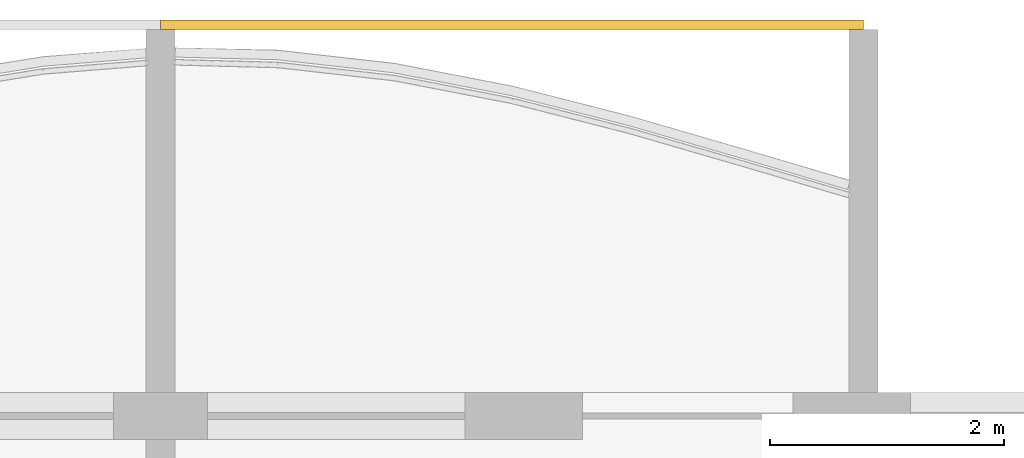
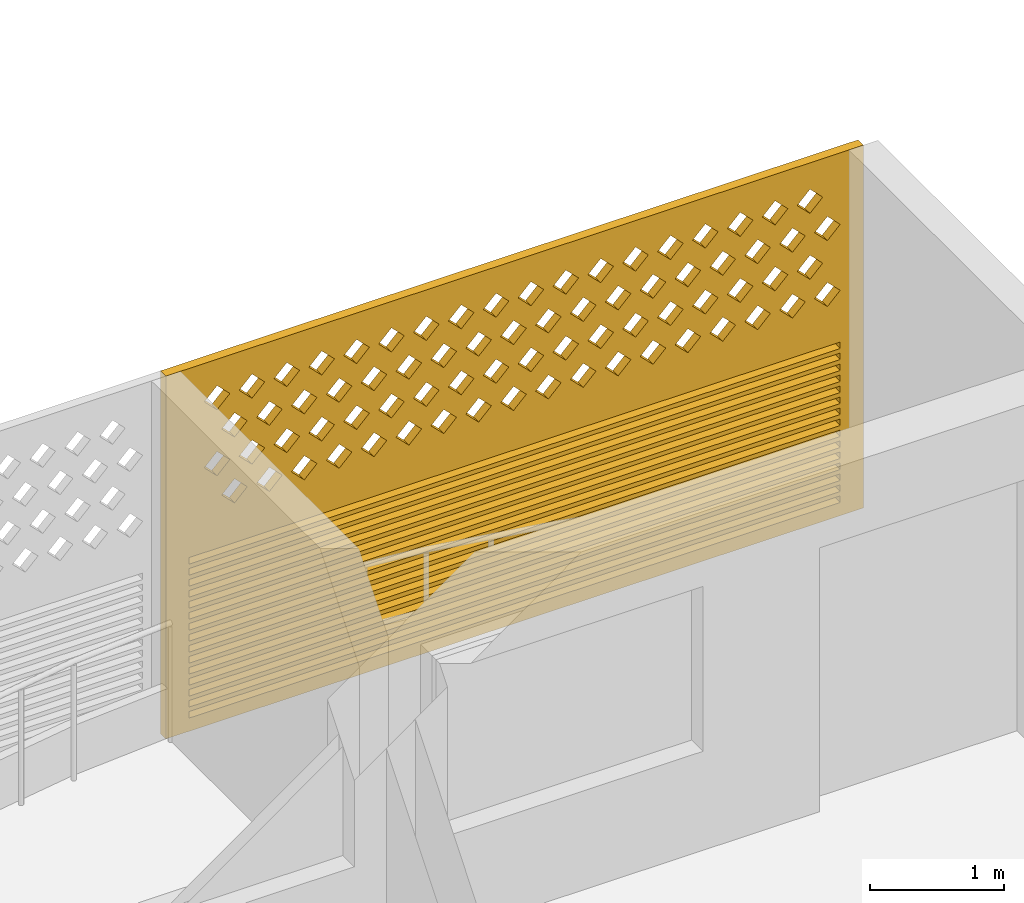
# One storey, part 18 of 26: 1 covering.
"""IFC4 building model written with IfcOpenShell, lengths in metres."""

from ifc_helpers import new_model, si_unit, direction, frame, origin, place, context, subcontext, project, spatial, polyline, outline, extrude, source, transform, mapped, material, material_profile, profile_set, type_object, element, save


model = new_model("IFC4")

# Units and contexts
model_context = context("Model", 3, precision=1e-05, world=origin(), true_north=direction((0.0, 1.0)))
body_context = subcontext(model_context, "Body", "Model", "MODEL_VIEW")
ifc_project = project(units=[si_unit("LENGTHUNIT", "METRE"), si_unit("AREAUNIT", "SQUARE_METRE"), si_unit("VOLUMEUNIT", "CUBIC_METRE"), si_unit("PLANEANGLEUNIT", "RADIAN"), si_unit("MASSUNIT", "GRAM", prefix="KILO")], contexts=[model_context])

# Site, building, storey
site_placement = place(None, origin())
site = spatial("IfcSite", under=ifc_project, at=site_placement, CompositionType="ELEMENT")
building_placement = place(site_placement, origin())
building = spatial("IfcBuilding", under=site, at=building_placement, Name="Poui Terraces", CompositionType="ELEMENT")
storey_placement = place(building_placement, frame((0.0, 0.0, 228.0)))
storey = spatial("IfcBuildingStorey", under=building, at=storey_placement, Name="L63", CompositionType="ELEMENT", Elevation=228.0)

# Covering
ifc_material = material(Name="Terracotta screen", Category="masonry")
ifc_material_profile = material_profile(ifc_material, outline(polyline([(-3.0, -1.64990234375), (3.0, -1.64990234375), (3.0, 1.64990234375), (-3.0, 1.64990234375), (-3.0, -1.64990234375)]), holes=[polyline([(-2.800048828125, 0.39990234375), (-2.68994140625, 0.2900390625), (-2.580078125, 0.39990234375), (-2.68994140625, 0.510009765625), (-2.800048828125, 0.39990234375)]), polyline([(-2.5, 0.39990234375), (-2.389892578125, 0.2900390625), (-2.280029296875, 0.39990234375), (-2.389892578125, 0.510009765625), (-2.5, 0.39990234375)]), polyline([(-2.199951171875, 0.39990234375), (-2.090087890625, 0.2900390625), (-1.97998046875, 0.39990234375), (-2.090087890625, 0.510009765625), (-2.199951171875, 0.39990234375)]), polyline([(-1.89990234375, 0.39990234375), (-1.7900390625, 0.2900390625), (-1.679931640625, 0.39990234375), (-1.7900390625, 0.510009765625), (-1.89990234375, 0.39990234375)]), polyline([(-1.60009765625, 0.39990234375), (-1.489990234375, 0.2900390625), (-1.3798828125, 0.39990234375), (-1.489990234375, 0.510009765625), (-1.60009765625, 0.39990234375)]), polyline([(-1.300048828125, 0.39990234375), (-1.18994140625, 0.2900390625), (-1.080078125, 0.39990234375), (-1.18994140625, 0.510009765625), (-1.300048828125, 0.39990234375)]), polyline([(-1.0, 0.39990234375), (-0.889892578125, 0.2900390625), (-0.780029296875, 0.39990234375), (-0.889892578125, 0.510009765625), (-1.0, 0.39990234375)]), polyline([(-0.699951171875, 0.39990234375), (-0.590087890625, 0.2900390625), (-0.47998046875, 0.39990234375), (-0.590087890625, 0.510009765625), (-0.699951171875, 0.39990234375)]), polyline([(-0.39990234375, 0.39990234375), (-0.2900390625, 0.2900390625), (-0.179931640625, 0.39990234375), (-0.2900390625, 0.510009765625), (-0.39990234375, 0.39990234375)]), polyline([(-0.10009765625, 0.39990234375), (0.010009765625, 0.2900390625), (0.1201171875, 0.39990234375), (0.010009765625, 0.510009765625), (-0.10009765625, 0.39990234375)]), polyline([(0.199951171875, 0.39990234375), (0.31005859375, 0.2900390625), (0.419921875, 0.39990234375), (0.31005859375, 0.510009765625), (0.199951171875, 0.39990234375)]), polyline([(0.5, 0.39990234375), (0.610107421875, 0.2900390625), (0.719970703125, 0.39990234375), (0.610107421875, 0.510009765625), (0.5, 0.39990234375)]), polyline([(0.800048828125, 0.39990234375), (0.909912109375, 0.2900390625), (1.02001953125, 0.39990234375), (0.909912109375, 0.510009765625), (0.800048828125, 0.39990234375)]), polyline([(1.10009765625, 0.39990234375), (1.2099609375, 0.2900390625), (1.320068359375, 0.39990234375), (1.2099609375, 0.510009765625), (1.10009765625, 0.39990234375)]), polyline([(1.39990234375, 0.39990234375), (1.510009765625, 0.2900390625), (1.6201171875, 0.39990234375), (1.510009765625, 0.510009765625), (1.39990234375, 0.39990234375)]), polyline([(1.699951171875, 0.39990234375), (1.81005859375, 0.2900390625), (1.919921875, 0.39990234375), (1.81005859375, 0.510009765625), (1.699951171875, 0.39990234375)]), polyline([(2.0, 0.39990234375), (2.110107421875, 0.2900390625), (2.219970703125, 0.39990234375), (2.110107421875, 0.510009765625), (2.0, 0.39990234375)]), polyline([(2.300048828125, 0.39990234375), (2.409912109375, 0.2900390625), (2.52001953125, 0.39990234375), (2.409912109375, 0.510009765625), (2.300048828125, 0.39990234375)]), polyline([(-2.64990234375, 0.699951171875), (-2.5400390625, 0.590087890625), (-2.429931640625, 0.699951171875), (-2.5400390625, 0.81005859375), (-2.64990234375, 0.699951171875)]), polyline([(-2.35009765625, 0.699951171875), (-2.239990234375, 0.590087890625), (-2.1298828125, 0.699951171875), (-2.239990234375, 0.81005859375), (-2.35009765625, 0.699951171875)]), polyline([(-2.050048828125, 0.699951171875), (-1.93994140625, 0.590087890625), (-1.830078125, 0.699951171875), (-1.93994140625, 0.81005859375), (-2.050048828125, 0.699951171875)]), polyline([(-1.75, 0.699951171875), (-1.639892578125, 0.590087890625), (-1.530029296875, 0.699951171875), (-1.639892578125, 0.81005859375), (-1.75, 0.699951171875)]), polyline([(-1.449951171875, 0.699951171875), (-1.340087890625, 0.590087890625), (-1.22998046875, 0.699951171875), (-1.340087890625, 0.81005859375), (-1.449951171875, 0.699951171875)]), polyline([(-1.14990234375, 0.699951171875), (-1.0400390625, 0.590087890625), (-0.929931640625, 0.699951171875), (-1.0400390625, 0.81005859375), (-1.14990234375, 0.699951171875)]), polyline([(-0.85009765625, 0.699951171875), (-0.739990234375, 0.590087890625), (-0.6298828125, 0.699951171875), (-0.739990234375, 0.81005859375), (-0.85009765625, 0.699951171875)]), polyline([(-0.550048828125, 0.699951171875), (-0.43994140625, 0.590087890625), (-0.330078125, 0.699951171875), (-0.43994140625, 0.81005859375), (-0.550048828125, 0.699951171875)]), polyline([(-0.25, 0.699951171875), (-0.139892578125, 0.590087890625), (-0.030029296875, 0.699951171875), (-0.139892578125, 0.81005859375), (-0.25, 0.699951171875)]), polyline([(0.050048828125, 0.699951171875), (0.159912109375, 0.590087890625), (0.27001953125, 0.699951171875), (0.159912109375, 0.81005859375), (0.050048828125, 0.699951171875)]), polyline([(0.35009765625, 0.699951171875), (0.4599609375, 0.590087890625), (0.570068359375, 0.699951171875), (0.4599609375, 0.81005859375), (0.35009765625, 0.699951171875)]), polyline([(0.64990234375, 0.699951171875), (0.760009765625, 0.590087890625), (0.8701171875, 0.699951171875), (0.760009765625, 0.81005859375), (0.64990234375, 0.699951171875)]), polyline([(0.949951171875, 0.699951171875), (1.06005859375, 0.590087890625), (1.169921875, 0.699951171875), (1.06005859375, 0.81005859375), (0.949951171875, 0.699951171875)]), polyline([(1.25, 0.699951171875), (1.360107421875, 0.590087890625), (1.469970703125, 0.699951171875), (1.360107421875, 0.81005859375), (1.25, 0.699951171875)]), polyline([(1.550048828125, 0.699951171875), (1.659912109375, 0.590087890625), (1.77001953125, 0.699951171875), (1.659912109375, 0.81005859375), (1.550048828125, 0.699951171875)]), polyline([(1.85009765625, 0.699951171875), (1.9599609375, 0.590087890625), (2.070068359375, 0.699951171875), (1.9599609375, 0.81005859375), (1.85009765625, 0.699951171875)]), polyline([(2.14990234375, 0.699951171875), (2.260009765625, 0.590087890625), (2.3701171875, 0.699951171875), (2.260009765625, 0.81005859375), (2.14990234375, 0.699951171875)]), polyline([(2.449951171875, 0.699951171875), (2.56005859375, 0.590087890625), (2.669921875, 0.699951171875), (2.56005859375, 0.81005859375), (2.449951171875, 0.699951171875)]), polyline([(-2.800048828125, 1.0), (-2.68994140625, 0.889892578125), (-2.580078125, 1.0), (-2.68994140625, 1.110107421875), (-2.800048828125, 1.0)]), polyline([(-2.5, 1.0), (-2.389892578125, 0.889892578125), (-2.280029296875, 1.0), (-2.389892578125, 1.110107421875), (-2.5, 1.0)]), polyline([(-2.199951171875, 1.0), (-2.090087890625, 0.889892578125), (-1.97998046875, 1.0), (-2.090087890625, 1.110107421875), (-2.199951171875, 1.0)]), polyline([(-1.89990234375, 1.0), (-1.7900390625, 0.889892578125), (-1.679931640625, 1.0), (-1.7900390625, 1.110107421875), (-1.89990234375, 1.0)]), polyline([(-1.60009765625, 1.0), (-1.489990234375, 0.889892578125), (-1.3798828125, 1.0), (-1.489990234375, 1.110107421875), (-1.60009765625, 1.0)]), polyline([(-1.300048828125, 1.0), (-1.18994140625, 0.889892578125), (-1.080078125, 1.0), (-1.18994140625, 1.110107421875), (-1.300048828125, 1.0)]), polyline([(-1.0, 1.0), (-0.889892578125, 0.889892578125), (-0.780029296875, 1.0), (-0.889892578125, 1.110107421875), (-1.0, 1.0)]), polyline([(-0.699951171875, 1.0), (-0.590087890625, 0.889892578125), (-0.47998046875, 1.0), (-0.590087890625, 1.110107421875), (-0.699951171875, 1.0)]), polyline([(-0.39990234375, 1.0), (-0.2900390625, 0.889892578125), (-0.179931640625, 1.0), (-0.2900390625, 1.110107421875), (-0.39990234375, 1.0)]), polyline([(-0.10009765625, 1.0), (0.010009765625, 0.889892578125), (0.1201171875, 1.0), (0.010009765625, 1.110107421875), (-0.10009765625, 1.0)]), polyline([(0.199951171875, 1.0), (0.31005859375, 0.889892578125), (0.419921875, 1.0), (0.31005859375, 1.110107421875), (0.199951171875, 1.0)]), polyline([(0.5, 1.0), (0.610107421875, 0.889892578125), (0.719970703125, 1.0), (0.610107421875, 1.110107421875), (0.5, 1.0)]), polyline([(0.800048828125, 1.0), (0.909912109375, 0.889892578125), (1.02001953125, 1.0), (0.909912109375, 1.110107421875), (0.800048828125, 1.0)]), polyline([(1.10009765625, 1.0), (1.2099609375, 0.889892578125), (1.320068359375, 1.0), (1.2099609375, 1.110107421875), (1.10009765625, 1.0)]), polyline([(1.39990234375, 1.0), (1.510009765625, 0.889892578125), (1.6201171875, 1.0), (1.510009765625, 1.110107421875), (1.39990234375, 1.0)]), polyline([(1.699951171875, 1.0), (1.81005859375, 0.889892578125), (1.919921875, 1.0), (1.81005859375, 1.110107421875), (1.699951171875, 1.0)]), polyline([(2.0, 1.0), (2.110107421875, 0.889892578125), (2.219970703125, 1.0), (2.110107421875, 1.110107421875), (2.0, 1.0)]), polyline([(2.300048828125, 1.0), (2.409912109375, 0.889892578125), (2.52001953125, 1.0), (2.409912109375, 1.110107421875), (2.300048828125, 1.0)]), polyline([(-2.64990234375, 1.300048828125), (-2.5400390625, 1.18994140625), (-2.429931640625, 1.300048828125), (-2.5400390625, 1.409912109375), (-2.64990234375, 1.300048828125)]), polyline([(-2.35009765625, 1.300048828125), (-2.239990234375, 1.18994140625), (-2.1298828125, 1.300048828125), (-2.239990234375, 1.409912109375), (-2.35009765625, 1.300048828125)]), polyline([(-2.050048828125, 1.300048828125), (-1.93994140625, 1.18994140625), (-1.830078125, 1.300048828125), (-1.93994140625, 1.409912109375), (-2.050048828125, 1.300048828125)]), polyline([(-1.75, 1.300048828125), (-1.639892578125, 1.18994140625), (-1.530029296875, 1.300048828125), (-1.639892578125, 1.409912109375), (-1.75, 1.300048828125)]), polyline([(-1.449951171875, 1.300048828125), (-1.340087890625, 1.18994140625), (-1.22998046875, 1.300048828125), (-1.340087890625, 1.409912109375), (-1.449951171875, 1.300048828125)]), polyline([(-1.14990234375, 1.300048828125), (-1.0400390625, 1.18994140625), (-0.929931640625, 1.300048828125), (-1.0400390625, 1.409912109375), (-1.14990234375, 1.300048828125)]), polyline([(-0.85009765625, 1.300048828125), (-0.739990234375, 1.18994140625), (-0.6298828125, 1.300048828125), (-0.739990234375, 1.409912109375), (-0.85009765625, 1.300048828125)]), polyline([(-0.550048828125, 1.300048828125), (-0.43994140625, 1.18994140625), (-0.330078125, 1.300048828125), (-0.43994140625, 1.409912109375), (-0.550048828125, 1.300048828125)]), polyline([(-0.25, 1.300048828125), (-0.139892578125, 1.18994140625), (-0.030029296875, 1.300048828125), (-0.139892578125, 1.409912109375), (-0.25, 1.300048828125)]), polyline([(0.050048828125, 1.300048828125), (0.159912109375, 1.18994140625), (0.27001953125, 1.300048828125), (0.159912109375, 1.409912109375), (0.050048828125, 1.300048828125)]), polyline([(0.35009765625, 1.300048828125), (0.4599609375, 1.18994140625), (0.570068359375, 1.300048828125), (0.4599609375, 1.409912109375), (0.35009765625, 1.300048828125)]), polyline([(0.64990234375, 1.300048828125), (0.760009765625, 1.18994140625), (0.8701171875, 1.300048828125), (0.760009765625, 1.409912109375), (0.64990234375, 1.300048828125)]), polyline([(0.949951171875, 1.300048828125), (1.06005859375, 1.18994140625), (1.169921875, 1.300048828125), (1.06005859375, 1.409912109375), (0.949951171875, 1.300048828125)]), polyline([(1.25, 1.300048828125), (1.360107421875, 1.18994140625), (1.469970703125, 1.300048828125), (1.360107421875, 1.409912109375), (1.25, 1.300048828125)]), polyline([(1.550048828125, 1.300048828125), (1.659912109375, 1.18994140625), (1.77001953125, 1.300048828125), (1.659912109375, 1.409912109375), (1.550048828125, 1.300048828125)]), polyline([(1.85009765625, 1.300048828125), (1.9599609375, 1.18994140625), (2.070068359375, 1.300048828125), (1.9599609375, 1.409912109375), (1.85009765625, 1.300048828125)]), polyline([(2.14990234375, 1.300048828125), (2.260009765625, 1.18994140625), (2.3701171875, 1.300048828125), (2.260009765625, 1.409912109375), (2.14990234375, 1.300048828125)]), polyline([(2.449951171875, 1.300048828125), (2.56005859375, 1.18994140625), (2.669921875, 1.300048828125), (2.56005859375, 1.409912109375), (2.449951171875, 1.300048828125)]), polyline([(-2.800048828125, -1.530029296875), (2.800048828125, -1.530029296875), (2.800048828125, -1.469970703125), (-2.800048828125, -1.469970703125), (-2.800048828125, -1.530029296875)]), polyline([(-2.800048828125, -1.429931640625), (2.800048828125, -1.429931640625), (2.800048828125, -1.3701171875), (-2.800048828125, -1.3701171875), (-2.800048828125, -1.429931640625)]), polyline([(-2.800048828125, -1.330078125), (2.800048828125, -1.330078125), (2.800048828125, -1.27001953125), (-2.800048828125, -1.27001953125), (-2.800048828125, -1.330078125)]), polyline([(-2.800048828125, -1.22998046875), (2.800048828125, -1.22998046875), (2.800048828125, -1.169921875), (-2.800048828125, -1.169921875), (-2.800048828125, -1.22998046875)]), polyline([(-2.800048828125, -1.1298828125), (2.800048828125, -1.1298828125), (2.800048828125, -1.070068359375), (-2.800048828125, -1.070068359375), (-2.800048828125, -1.1298828125)]), polyline([(-2.800048828125, -1.030029296875), (2.800048828125, -1.030029296875), (2.800048828125, -0.969970703125), (-2.800048828125, -0.969970703125), (-2.800048828125, -1.030029296875)]), polyline([(-2.800048828125, -0.929931640625), (2.800048828125, -0.929931640625), (2.800048828125, -0.8701171875), (-2.800048828125, -0.8701171875), (-2.800048828125, -0.929931640625)]), polyline([(-2.800048828125, -0.830078125), (2.800048828125, -0.830078125), (2.800048828125, -0.77001953125), (-2.800048828125, -0.77001953125), (-2.800048828125, -0.830078125)]), polyline([(-2.800048828125, -0.72998046875), (2.800048828125, -0.72998046875), (2.800048828125, -0.669921875), (-2.800048828125, -0.669921875), (-2.800048828125, -0.72998046875)]), polyline([(-2.800048828125, -0.6298828125), (2.800048828125, -0.6298828125), (2.800048828125, -0.570068359375), (-2.800048828125, -0.570068359375), (-2.800048828125, -0.6298828125)]), polyline([(-2.800048828125, -0.530029296875), (2.800048828125, -0.530029296875), (2.800048828125, -0.469970703125), (-2.800048828125, -0.469970703125), (-2.800048828125, -0.530029296875)]), polyline([(-2.800048828125, -0.429931640625), (2.800048828125, -0.429931640625), (2.800048828125, -0.3701171875), (-2.800048828125, -0.3701171875), (-2.800048828125, -0.429931640625)]), polyline([(-2.800048828125, -0.330078125), (2.800048828125, -0.330078125), (2.800048828125, -0.27001953125), (-2.800048828125, -0.27001953125), (-2.800048828125, -0.330078125)]), polyline([(-2.800048828125, -0.22998046875), (2.800048828125, -0.22998046875), (2.800048828125, -0.169921875), (-2.800048828125, -0.169921875), (-2.800048828125, -0.22998046875)]), polyline([(-2.800048828125, -0.1298828125), (2.800048828125, -0.1298828125), (2.800048828125, -0.070068359375), (-2.800048828125, -0.070068359375), (-2.800048828125, -0.1298828125)])]), Name="TERRACOTTA SCREEN AND JALOUSIE LOUVRE 6000X3300")
ifc_profile_set = profile_set([ifc_material_profile], Name="Terracotta screen")
covering_type = type_object("IfcCoveringType", Name="TERRACOTTA SCREEN AND JALOUSIE LOUVRE 6000X3300", PredefinedType="CLADDING", material=ifc_profile_set)
shared_shape = source(origin(), body_context, "Body", "SweptSolid", [
    extrude(outline(polyline([(-3.0, -1.64990234375), (3.0, -1.64990234375), (3.0, 1.64990234375), (-3.0, 1.64990234375), (-3.0, -1.64990234375)]), holes=[polyline([(-2.800048828125, 0.39990234375), (-2.68994140625, 0.2900390625), (-2.580078125, 0.39990234375), (-2.68994140625, 0.510009765625), (-2.800048828125, 0.39990234375)]), polyline([(-2.5, 0.39990234375), (-2.389892578125, 0.2900390625), (-2.280029296875, 0.39990234375), (-2.389892578125, 0.510009765625), (-2.5, 0.39990234375)]), polyline([(-2.199951171875, 0.39990234375), (-2.090087890625, 0.2900390625), (-1.97998046875, 0.39990234375), (-2.090087890625, 0.510009765625), (-2.199951171875, 0.39990234375)]), polyline([(-1.89990234375, 0.39990234375), (-1.7900390625, 0.2900390625), (-1.679931640625, 0.39990234375), (-1.7900390625, 0.510009765625), (-1.89990234375, 0.39990234375)]), polyline([(-1.60009765625, 0.39990234375), (-1.489990234375, 0.2900390625), (-1.3798828125, 0.39990234375), (-1.489990234375, 0.510009765625), (-1.60009765625, 0.39990234375)]), polyline([(-1.300048828125, 0.39990234375), (-1.18994140625, 0.2900390625), (-1.080078125, 0.39990234375), (-1.18994140625, 0.510009765625), (-1.300048828125, 0.39990234375)]), polyline([(-1.0, 0.39990234375), (-0.889892578125, 0.2900390625), (-0.780029296875, 0.39990234375), (-0.889892578125, 0.510009765625), (-1.0, 0.39990234375)]), polyline([(-0.699951171875, 0.39990234375), (-0.590087890625, 0.2900390625), (-0.47998046875, 0.39990234375), (-0.590087890625, 0.510009765625), (-0.699951171875, 0.39990234375)]), polyline([(-0.39990234375, 0.39990234375), (-0.2900390625, 0.2900390625), (-0.179931640625, 0.39990234375), (-0.2900390625, 0.510009765625), (-0.39990234375, 0.39990234375)]), polyline([(-0.10009765625, 0.39990234375), (0.010009765625, 0.2900390625), (0.1201171875, 0.39990234375), (0.010009765625, 0.510009765625), (-0.10009765625, 0.39990234375)]), polyline([(0.199951171875, 0.39990234375), (0.31005859375, 0.2900390625), (0.419921875, 0.39990234375), (0.31005859375, 0.510009765625), (0.199951171875, 0.39990234375)]), polyline([(0.5, 0.39990234375), (0.610107421875, 0.2900390625), (0.719970703125, 0.39990234375), (0.610107421875, 0.510009765625), (0.5, 0.39990234375)]), polyline([(0.800048828125, 0.39990234375), (0.909912109375, 0.2900390625), (1.02001953125, 0.39990234375), (0.909912109375, 0.510009765625), (0.800048828125, 0.39990234375)]), polyline([(1.10009765625, 0.39990234375), (1.2099609375, 0.2900390625), (1.320068359375, 0.39990234375), (1.2099609375, 0.510009765625), (1.10009765625, 0.39990234375)]), polyline([(1.39990234375, 0.39990234375), (1.510009765625, 0.2900390625), (1.6201171875, 0.39990234375), (1.510009765625, 0.510009765625), (1.39990234375, 0.39990234375)]), polyline([(1.699951171875, 0.39990234375), (1.81005859375, 0.2900390625), (1.919921875, 0.39990234375), (1.81005859375, 0.510009765625), (1.699951171875, 0.39990234375)]), polyline([(2.0, 0.39990234375), (2.110107421875, 0.2900390625), (2.219970703125, 0.39990234375), (2.110107421875, 0.510009765625), (2.0, 0.39990234375)]), polyline([(2.300048828125, 0.39990234375), (2.409912109375, 0.2900390625), (2.52001953125, 0.39990234375), (2.409912109375, 0.510009765625), (2.300048828125, 0.39990234375)]), polyline([(-2.64990234375, 0.699951171875), (-2.5400390625, 0.590087890625), (-2.429931640625, 0.699951171875), (-2.5400390625, 0.81005859375), (-2.64990234375, 0.699951171875)]), polyline([(-2.35009765625, 0.699951171875), (-2.239990234375, 0.590087890625), (-2.1298828125, 0.699951171875), (-2.239990234375, 0.81005859375), (-2.35009765625, 0.699951171875)]), polyline([(-2.050048828125, 0.699951171875), (-1.93994140625, 0.590087890625), (-1.830078125, 0.699951171875), (-1.93994140625, 0.81005859375), (-2.050048828125, 0.699951171875)]), polyline([(-1.75, 0.699951171875), (-1.639892578125, 0.590087890625), (-1.530029296875, 0.699951171875), (-1.639892578125, 0.81005859375), (-1.75, 0.699951171875)]), polyline([(-1.449951171875, 0.699951171875), (-1.340087890625, 0.590087890625), (-1.22998046875, 0.699951171875), (-1.340087890625, 0.81005859375), (-1.449951171875, 0.699951171875)]), polyline([(-1.14990234375, 0.699951171875), (-1.0400390625, 0.590087890625), (-0.929931640625, 0.699951171875), (-1.0400390625, 0.81005859375), (-1.14990234375, 0.699951171875)]), polyline([(-0.85009765625, 0.699951171875), (-0.739990234375, 0.590087890625), (-0.6298828125, 0.699951171875), (-0.739990234375, 0.81005859375), (-0.85009765625, 0.699951171875)]), polyline([(-0.550048828125, 0.699951171875), (-0.43994140625, 0.590087890625), (-0.330078125, 0.699951171875), (-0.43994140625, 0.81005859375), (-0.550048828125, 0.699951171875)]), polyline([(-0.25, 0.699951171875), (-0.139892578125, 0.590087890625), (-0.030029296875, 0.699951171875), (-0.139892578125, 0.81005859375), (-0.25, 0.699951171875)]), polyline([(0.050048828125, 0.699951171875), (0.159912109375, 0.590087890625), (0.27001953125, 0.699951171875), (0.159912109375, 0.81005859375), (0.050048828125, 0.699951171875)]), polyline([(0.35009765625, 0.699951171875), (0.4599609375, 0.590087890625), (0.570068359375, 0.699951171875), (0.4599609375, 0.81005859375), (0.35009765625, 0.699951171875)]), polyline([(0.64990234375, 0.699951171875), (0.760009765625, 0.590087890625), (0.8701171875, 0.699951171875), (0.760009765625, 0.81005859375), (0.64990234375, 0.699951171875)]), polyline([(0.949951171875, 0.699951171875), (1.06005859375, 0.590087890625), (1.169921875, 0.699951171875), (1.06005859375, 0.81005859375), (0.949951171875, 0.699951171875)]), polyline([(1.25, 0.699951171875), (1.360107421875, 0.590087890625), (1.469970703125, 0.699951171875), (1.360107421875, 0.81005859375), (1.25, 0.699951171875)]), polyline([(1.550048828125, 0.699951171875), (1.659912109375, 0.590087890625), (1.77001953125, 0.699951171875), (1.659912109375, 0.81005859375), (1.550048828125, 0.699951171875)]), polyline([(1.85009765625, 0.699951171875), (1.9599609375, 0.590087890625), (2.070068359375, 0.699951171875), (1.9599609375, 0.81005859375), (1.85009765625, 0.699951171875)]), polyline([(2.14990234375, 0.699951171875), (2.260009765625, 0.590087890625), (2.3701171875, 0.699951171875), (2.260009765625, 0.81005859375), (2.14990234375, 0.699951171875)]), polyline([(2.449951171875, 0.699951171875), (2.56005859375, 0.590087890625), (2.669921875, 0.699951171875), (2.56005859375, 0.81005859375), (2.449951171875, 0.699951171875)]), polyline([(-2.800048828125, 1.0), (-2.68994140625, 0.889892578125), (-2.580078125, 1.0), (-2.68994140625, 1.110107421875), (-2.800048828125, 1.0)]), polyline([(-2.5, 1.0), (-2.389892578125, 0.889892578125), (-2.280029296875, 1.0), (-2.389892578125, 1.110107421875), (-2.5, 1.0)]), polyline([(-2.199951171875, 1.0), (-2.090087890625, 0.889892578125), (-1.97998046875, 1.0), (-2.090087890625, 1.110107421875), (-2.199951171875, 1.0)]), polyline([(-1.89990234375, 1.0), (-1.7900390625, 0.889892578125), (-1.679931640625, 1.0), (-1.7900390625, 1.110107421875), (-1.89990234375, 1.0)]), polyline([(-1.60009765625, 1.0), (-1.489990234375, 0.889892578125), (-1.3798828125, 1.0), (-1.489990234375, 1.110107421875), (-1.60009765625, 1.0)]), polyline([(-1.300048828125, 1.0), (-1.18994140625, 0.889892578125), (-1.080078125, 1.0), (-1.18994140625, 1.110107421875), (-1.300048828125, 1.0)]), polyline([(-1.0, 1.0), (-0.889892578125, 0.889892578125), (-0.780029296875, 1.0), (-0.889892578125, 1.110107421875), (-1.0, 1.0)]), polyline([(-0.699951171875, 1.0), (-0.590087890625, 0.889892578125), (-0.47998046875, 1.0), (-0.590087890625, 1.110107421875), (-0.699951171875, 1.0)]), polyline([(-0.39990234375, 1.0), (-0.2900390625, 0.889892578125), (-0.179931640625, 1.0), (-0.2900390625, 1.110107421875), (-0.39990234375, 1.0)]), polyline([(-0.10009765625, 1.0), (0.010009765625, 0.889892578125), (0.1201171875, 1.0), (0.010009765625, 1.110107421875), (-0.10009765625, 1.0)]), polyline([(0.199951171875, 1.0), (0.31005859375, 0.889892578125), (0.419921875, 1.0), (0.31005859375, 1.110107421875), (0.199951171875, 1.0)]), polyline([(0.5, 1.0), (0.610107421875, 0.889892578125), (0.719970703125, 1.0), (0.610107421875, 1.110107421875), (0.5, 1.0)]), polyline([(0.800048828125, 1.0), (0.909912109375, 0.889892578125), (1.02001953125, 1.0), (0.909912109375, 1.110107421875), (0.800048828125, 1.0)]), polyline([(1.10009765625, 1.0), (1.2099609375, 0.889892578125), (1.320068359375, 1.0), (1.2099609375, 1.110107421875), (1.10009765625, 1.0)]), polyline([(1.39990234375, 1.0), (1.510009765625, 0.889892578125), (1.6201171875, 1.0), (1.510009765625, 1.110107421875), (1.39990234375, 1.0)]), polyline([(1.699951171875, 1.0), (1.81005859375, 0.889892578125), (1.919921875, 1.0), (1.81005859375, 1.110107421875), (1.699951171875, 1.0)]), polyline([(2.0, 1.0), (2.110107421875, 0.889892578125), (2.219970703125, 1.0), (2.110107421875, 1.110107421875), (2.0, 1.0)]), polyline([(2.300048828125, 1.0), (2.409912109375, 0.889892578125), (2.52001953125, 1.0), (2.409912109375, 1.110107421875), (2.300048828125, 1.0)]), polyline([(-2.64990234375, 1.300048828125), (-2.5400390625, 1.18994140625), (-2.429931640625, 1.300048828125), (-2.5400390625, 1.409912109375), (-2.64990234375, 1.300048828125)]), polyline([(-2.35009765625, 1.300048828125), (-2.239990234375, 1.18994140625), (-2.1298828125, 1.300048828125), (-2.239990234375, 1.409912109375), (-2.35009765625, 1.300048828125)]), polyline([(-2.050048828125, 1.300048828125), (-1.93994140625, 1.18994140625), (-1.830078125, 1.300048828125), (-1.93994140625, 1.409912109375), (-2.050048828125, 1.300048828125)]), polyline([(-1.75, 1.300048828125), (-1.639892578125, 1.18994140625), (-1.530029296875, 1.300048828125), (-1.639892578125, 1.409912109375), (-1.75, 1.300048828125)]), polyline([(-1.449951171875, 1.300048828125), (-1.340087890625, 1.18994140625), (-1.22998046875, 1.300048828125), (-1.340087890625, 1.409912109375), (-1.449951171875, 1.300048828125)]), polyline([(-1.14990234375, 1.300048828125), (-1.0400390625, 1.18994140625), (-0.929931640625, 1.300048828125), (-1.0400390625, 1.409912109375), (-1.14990234375, 1.300048828125)]), polyline([(-0.85009765625, 1.300048828125), (-0.739990234375, 1.18994140625), (-0.6298828125, 1.300048828125), (-0.739990234375, 1.409912109375), (-0.85009765625, 1.300048828125)]), polyline([(-0.550048828125, 1.300048828125), (-0.43994140625, 1.18994140625), (-0.330078125, 1.300048828125), (-0.43994140625, 1.409912109375), (-0.550048828125, 1.300048828125)]), polyline([(-0.25, 1.300048828125), (-0.139892578125, 1.18994140625), (-0.030029296875, 1.300048828125), (-0.139892578125, 1.409912109375), (-0.25, 1.300048828125)]), polyline([(0.050048828125, 1.300048828125), (0.159912109375, 1.18994140625), (0.27001953125, 1.300048828125), (0.159912109375, 1.409912109375), (0.050048828125, 1.300048828125)]), polyline([(0.35009765625, 1.300048828125), (0.4599609375, 1.18994140625), (0.570068359375, 1.300048828125), (0.4599609375, 1.409912109375), (0.35009765625, 1.300048828125)]), polyline([(0.64990234375, 1.300048828125), (0.760009765625, 1.18994140625), (0.8701171875, 1.300048828125), (0.760009765625, 1.409912109375), (0.64990234375, 1.300048828125)]), polyline([(0.949951171875, 1.300048828125), (1.06005859375, 1.18994140625), (1.169921875, 1.300048828125), (1.06005859375, 1.409912109375), (0.949951171875, 1.300048828125)]), polyline([(1.25, 1.300048828125), (1.360107421875, 1.18994140625), (1.469970703125, 1.300048828125), (1.360107421875, 1.409912109375), (1.25, 1.300048828125)]), polyline([(1.550048828125, 1.300048828125), (1.659912109375, 1.18994140625), (1.77001953125, 1.300048828125), (1.659912109375, 1.409912109375), (1.550048828125, 1.300048828125)]), polyline([(1.85009765625, 1.300048828125), (1.9599609375, 1.18994140625), (2.070068359375, 1.300048828125), (1.9599609375, 1.409912109375), (1.85009765625, 1.300048828125)]), polyline([(2.14990234375, 1.300048828125), (2.260009765625, 1.18994140625), (2.3701171875, 1.300048828125), (2.260009765625, 1.409912109375), (2.14990234375, 1.300048828125)]), polyline([(2.449951171875, 1.300048828125), (2.56005859375, 1.18994140625), (2.669921875, 1.300048828125), (2.56005859375, 1.409912109375), (2.449951171875, 1.300048828125)]), polyline([(-2.800048828125, -1.530029296875), (2.800048828125, -1.530029296875), (2.800048828125, -1.469970703125), (-2.800048828125, -1.469970703125), (-2.800048828125, -1.530029296875)]), polyline([(-2.800048828125, -1.429931640625), (2.800048828125, -1.429931640625), (2.800048828125, -1.3701171875), (-2.800048828125, -1.3701171875), (-2.800048828125, -1.429931640625)]), polyline([(-2.800048828125, -1.330078125), (2.800048828125, -1.330078125), (2.800048828125, -1.27001953125), (-2.800048828125, -1.27001953125), (-2.800048828125, -1.330078125)]), polyline([(-2.800048828125, -1.22998046875), (2.800048828125, -1.22998046875), (2.800048828125, -1.169921875), (-2.800048828125, -1.169921875), (-2.800048828125, -1.22998046875)]), polyline([(-2.800048828125, -1.1298828125), (2.800048828125, -1.1298828125), (2.800048828125, -1.070068359375), (-2.800048828125, -1.070068359375), (-2.800048828125, -1.1298828125)]), polyline([(-2.800048828125, -1.030029296875), (2.800048828125, -1.030029296875), (2.800048828125, -0.969970703125), (-2.800048828125, -0.969970703125), (-2.800048828125, -1.030029296875)]), polyline([(-2.800048828125, -0.929931640625), (2.800048828125, -0.929931640625), (2.800048828125, -0.8701171875), (-2.800048828125, -0.8701171875), (-2.800048828125, -0.929931640625)]), polyline([(-2.800048828125, -0.830078125), (2.800048828125, -0.830078125), (2.800048828125, -0.77001953125), (-2.800048828125, -0.77001953125), (-2.800048828125, -0.830078125)]), polyline([(-2.800048828125, -0.72998046875), (2.800048828125, -0.72998046875), (2.800048828125, -0.669921875), (-2.800048828125, -0.669921875), (-2.800048828125, -0.72998046875)]), polyline([(-2.800048828125, -0.6298828125), (2.800048828125, -0.6298828125), (2.800048828125, -0.570068359375), (-2.800048828125, -0.570068359375), (-2.800048828125, -0.6298828125)]), polyline([(-2.800048828125, -0.530029296875), (2.800048828125, -0.530029296875), (2.800048828125, -0.469970703125), (-2.800048828125, -0.469970703125), (-2.800048828125, -0.530029296875)]), polyline([(-2.800048828125, -0.429931640625), (2.800048828125, -0.429931640625), (2.800048828125, -0.3701171875), (-2.800048828125, -0.3701171875), (-2.800048828125, -0.429931640625)]), polyline([(-2.800048828125, -0.330078125), (2.800048828125, -0.330078125), (2.800048828125, -0.27001953125), (-2.800048828125, -0.27001953125), (-2.800048828125, -0.330078125)]), polyline([(-2.800048828125, -0.22998046875), (2.800048828125, -0.22998046875), (2.800048828125, -0.169921875), (-2.800048828125, -0.169921875), (-2.800048828125, -0.22998046875)]), polyline([(-2.800048828125, -0.1298828125), (2.800048828125, -0.1298828125), (2.800048828125, -0.070068359375), (-2.800048828125, -0.070068359375), (-2.800048828125, -0.1298828125)])]), origin(), (0.0, 0.0, 1.0), 0.080078125),
])
covering_placement = place(storey_placement, frame((39.0, 44.5, 1.449951171875), z_axis=(0.0, 1.0, 0.0), x_axis=(-1.0, 0.0, 0.0)))
element("IfcCovering", 1, at=covering_placement, inside=storey, type_object=covering_type, Name="SOLAR SCREEN AND JALOUSIE LOUVRE", PredefinedType="CLADDING", context=body_context, shape_type="MappedRepresentation", body=[
    mapped(shared_shape, transform((0.0, 0.0, 0.0))),
])

save(model, "model.ifc")
